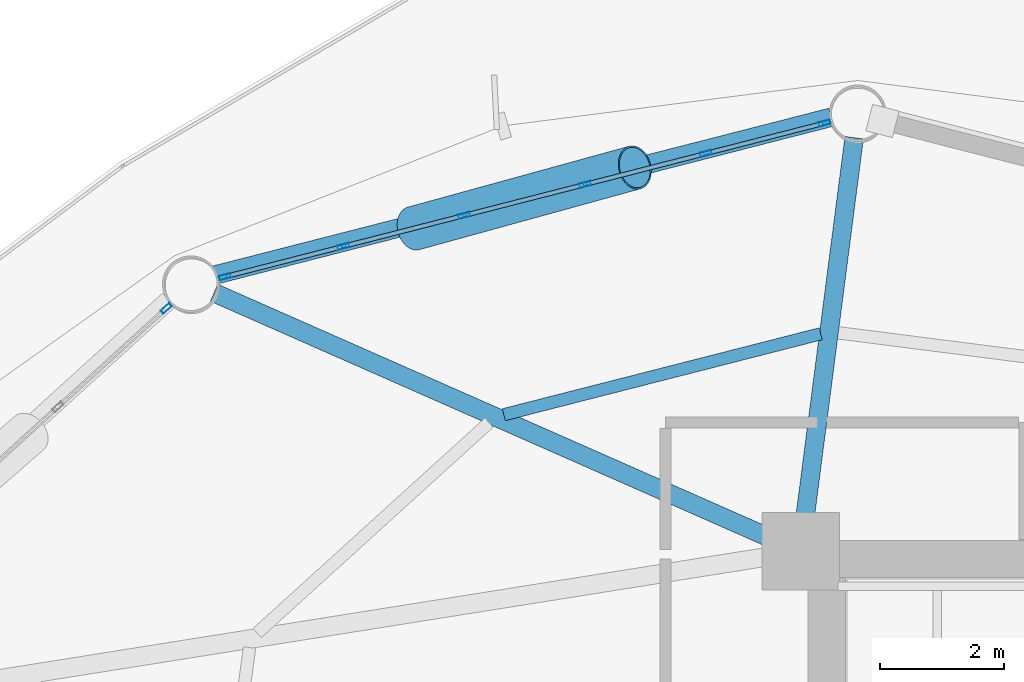
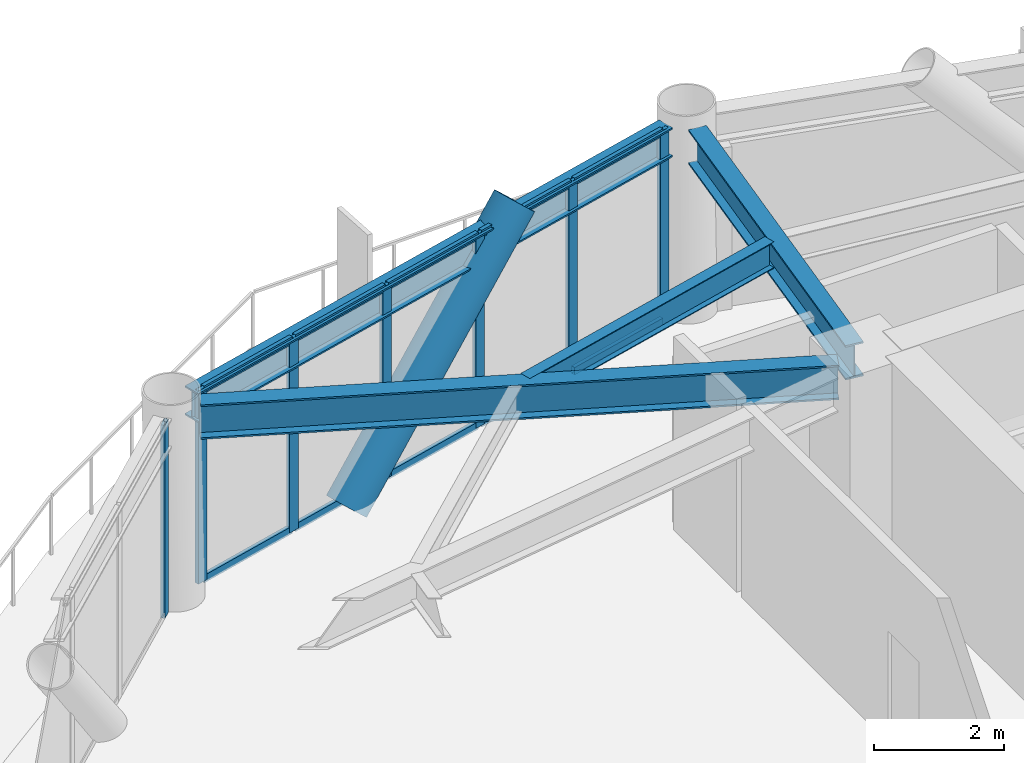
# One storey, part 15 of 22: 18 members, 4 beams, 2 elements without a shape of their own.
"""IFC4 building model written with IfcOpenShell, lengths in metres."""

from ifc_helpers import new_model, si_unit, direction, frame, origin, origin_2d, place, context, subcontext, project, spatial, hollow_rectangle, hollow_circle, i_section, extrude, material, layer, layer_set, material_profile, profile_set, type_object, element, aggregate, save


model = new_model("IFC4")

# Units and contexts
model_context = context("Model", 3, precision=1e-05, world=origin(), true_north=direction((0.0, 1.0)))
body_context = subcontext(model_context, "Body", "Model", "MODEL_VIEW")
ifc_project = project(units=[si_unit("LENGTHUNIT", "METRE"), si_unit("AREAUNIT", "SQUARE_METRE"), si_unit("VOLUMEUNIT", "CUBIC_METRE"), si_unit("PLANEANGLEUNIT", "RADIAN"), si_unit("MASSUNIT", "GRAM", prefix="KILO")], contexts=[model_context])

# Site, building, storey
site_placement = place(None, origin())
site = spatial("IfcSite", under=ifc_project, at=site_placement, CompositionType="ELEMENT")
building_placement = place(site_placement, origin())
building = spatial("IfcBuilding", under=site, at=building_placement, Name="Varnakorn Sky Granary", CompositionType="ELEMENT")
storey_placement = place(building_placement, frame((0.0, 0.0, 66.60009765625)))
storey = spatial("IfcBuildingStorey", under=building, at=storey_placement, Name="L16", CompositionType="ELEMENT", Elevation=66.60009765625)

# Beams
ifc_material_1 = material(Name="Steel S355JR", Category="steel")
ifc_material_profile_1 = material_profile(ifc_material_1, i_section(OverallWidth=0.300048828125, OverallDepth=0.64990234375, WebThickness=0.01611328125, FlangeThickness=0.031005859375, at=origin_2d()), Name="HE 650 B")
ifc_profile_set_1 = profile_set([ifc_material_profile_1], Name="Steel S355JR")
beam_type_1 = type_object("IfcBeamType", Name="BM-RAD-Z1", PredefinedType="BEAM", material=ifc_profile_set_1)
beam_1_placement = place(storey_placement, frame((-2.3662109375, 13.03662109375, 3.31494140625), z_axis=(0.128374233609, 0.991725796854, 0.0), x_axis=(-0.991725796854, 0.128374233609, 0.0)))
element("IfcBeam", 1, at=beam_1_placement, inside=storey, type_object=beam_type_1, Name="Radial Floor Girder RG04 L16", PredefinedType="BEAM", context=body_context, shape_type="SweptSolid", body=[
    extrude(i_section(OverallWidth=0.300048828125, OverallDepth=0.64990234375, WebThickness=0.01611328125, FlangeThickness=0.031005859375, at=origin_2d()), origin(), (0.0, 0.0, 1.0), 6.306396484375),
])
beam_2_placement = place(storey_placement, frame((-2.80419921875, 12.78955078125, 3.31494140625), z_axis=(-0.914949361252, 0.403568663729, 0.0), x_axis=(-0.403568663729, -0.914949361252, 0.0)))
element("IfcBeam", 2, at=beam_2_placement, inside=storey, type_object=beam_type_1, Name="Radial Floor Girder RG05 L16", PredefinedType="BEAM", context=body_context, shape_type="SweptSolid", body=[
    extrude(i_section(OverallWidth=0.300048828125, OverallDepth=0.64990234375, WebThickness=0.01611328125, FlangeThickness=0.031005859375, at=origin_2d()), origin(), (0.0, 0.0, 1.0), 9.9140625),
])
ifc_material_profile_2 = material_profile(ifc_material_1, i_section(OverallWidth=0.199951171875, OverallDepth=0.5, WebThickness=0.01025390625, FlangeThickness=0.01611328125, at=origin_2d()), Name="IPE 500")
ifc_profile_set_2 = profile_set([ifc_material_profile_2], Name="Steel S355JR")
beam_type_2 = type_object("IfcBeamType", Name="BM-SEC-Z1", PredefinedType="BEAM", material=ifc_profile_set_2)
beam_3_placement = place(storey_placement, frame((-2.096923828125, 16.12890625, 3.389892578125), z_axis=(-0.968906843976, -0.247425802406, 0.0), x_axis=(0.247425802406, -0.968906843976, 0.0)))
element("IfcBeam", 3, at=beam_3_placement, inside=storey, type_object=beam_type_2, Name="Secondary Floor Chord Beam MSB04 L16", PredefinedType="BEAM", context=body_context, shape_type="SweptSolid", body=[
    extrude(i_section(OverallWidth=0.199951171875, OverallDepth=0.5, WebThickness=0.01025390625, FlangeThickness=0.01611328125, at=origin_2d()), origin(), (0.0, 0.0, 1.0), 5.27099609375),
])
ifc_material_profile_3 = material_profile(ifc_material_1, i_section(OverallWidth=0.300048828125, OverallDepth=0.550048828125, WebThickness=0.014892578125, FlangeThickness=0.029052734375, at=origin_2d()), Name="HE 550 B")
ifc_profile_set_3 = profile_set([ifc_material_profile_3], Name="Steel S355JR")
beam_type_3 = type_object("IfcBeamType", Name="BM-SPD-Z1", PredefinedType="SPANDREL", material=ifc_profile_set_3)
beam_4_placement = place(storey_placement, frame((-1.92822265625, 19.619384765625, 3.364990234375), z_axis=(-0.968748648777, -0.248044462734, 0.0), x_axis=(0.248044462734, -0.968748648777, 0.0)))
element("IfcBeam", 4, at=beam_4_placement, inside=storey, type_object=beam_type_3, Name="Perimeter Spandrel Ring Beam RB04 L16", PredefinedType="SPANDREL", context=body_context, shape_type="SweptSolid", body=[
    extrude(i_section(OverallWidth=0.300048828125, OverallDepth=0.550048828125, WebThickness=0.014892578125, FlangeThickness=0.029052734375, at=origin_2d()), origin(), (0.0, 0.0, 1.0), 10.2431640625),
])

# Curtain wall, members
ifc_material_2 = material(Name="Anodised Bronze Aluminium Alloy 6063-T6", Category="aluminium")
ifc_layer = layer(ifc_material_2, 0.18994140625, Name="Anodised Bronze Aluminium Alloy 6063-T6")
ifc_layer_set = layer_set([ifc_layer], Name="Anodised Bronze Aluminium Alloy 6063-T6")
curtain_wall_type = type_object("IfcCurtainWallType", Name="CW-FRM-1", PredefinedType="USERDEFINED", material=ifc_layer_set)
curtain_wall_1_placement = place(storey_placement, origin())
curtain_wall_1 = element("IfcCurtainWall", 5, at=curtain_wall_1_placement, inside=storey, type_object=curtain_wall_type, Name="Unitised Curtain Wall CW3 CW-L16-B04", ObjectType="CURTAIN WALL", PredefinedType="USERDEFINED")
ifc_material_profile_4 = material_profile(ifc_material_2, hollow_rectangle(XDim=0.070068359375, YDim=0.18505859375, WallThickness=0.00390625, at=origin_2d()), Name="ALU MULL 70x185")
ifc_profile_set_4 = profile_set([ifc_material_profile_4], Name="Anodised Bronze Aluminium Alloy 6063-T6")
member_type_1 = type_object("IfcMemberType", Name="CW-FRM-1-MULL", PredefinedType="MULLION", material=ifc_profile_set_4)
member_1_placement = place(storey_placement, frame((-11.702392578125, 17.0478515625, 0.0), z_axis=(0.0, 0.0, 1.0), x_axis=(-0.248211359379, 0.968705900196, 0.0)))
member_1 = element("IfcMember", 6, at=member_1_placement, type_object=member_type_1, Name="CW3 mullion 1", PredefinedType="MULLION", context=body_context, shape_type="SweptSolid", body=[
    extrude(hollow_rectangle(XDim=0.070068359375, YDim=0.18505859375, WallThickness=0.00390625, at=origin_2d()), origin(), (0.0, 0.0, 1.0), 3.639892578125),
])
member_2_placement = place(storey_placement, frame((-9.7890625, 17.5380859375, 0.0), z_axis=(0.0, 0.0, 1.0), x_axis=(-0.248211359379, 0.968705900196, 0.0)))
member_2 = element("IfcMember", 7, at=member_2_placement, type_object=member_type_1, Name="CW3 mullion 2", PredefinedType="MULLION", context=body_context, shape_type="SweptSolid", body=[
    extrude(hollow_rectangle(XDim=0.070068359375, YDim=0.18505859375, WallThickness=0.00390625, at=origin_2d()), origin(), (0.0, 0.0, 1.0), 3.639892578125),
])
member_3_placement = place(storey_placement, frame((-7.842041015625, 18.037109375, 0.0), z_axis=(0.0, 0.0, 1.0), x_axis=(-0.248211359379, 0.968705900196, 0.0)))
member_3 = element("IfcMember", 8, at=member_3_placement, type_object=member_type_1, Name="CW3 mullion 3", PredefinedType="MULLION", context=body_context, shape_type="SweptSolid", body=[
    extrude(hollow_rectangle(XDim=0.070068359375, YDim=0.18505859375, WallThickness=0.00390625, at=origin_2d()), origin(), (0.0, 0.0, 1.0), 3.639892578125),
])
member_4_placement = place(storey_placement, frame((-5.89501953125, 18.535888671875, 0.0), z_axis=(0.0, 0.0, 1.0), x_axis=(-0.248211359379, 0.968705900196, 0.0)))
member_4 = element("IfcMember", 9, at=member_4_placement, type_object=member_type_1, Name="CW3 mullion 4", PredefinedType="MULLION", context=body_context, shape_type="SweptSolid", body=[
    extrude(hollow_rectangle(XDim=0.070068359375, YDim=0.18505859375, WallThickness=0.00390625, at=origin_2d()), origin(), (0.0, 0.0, 1.0), 3.639892578125),
])
member_5_placement = place(storey_placement, frame((-3.947998046875, 19.034912109375, 0.0), z_axis=(0.0, 0.0, 1.0), x_axis=(-0.248211359379, 0.968705900196, 0.0)))
member_5 = element("IfcMember", 10, at=member_5_placement, type_object=member_type_1, Name="CW3 mullion 5", PredefinedType="MULLION", context=body_context, shape_type="SweptSolid", body=[
    extrude(hollow_rectangle(XDim=0.070068359375, YDim=0.18505859375, WallThickness=0.00390625, at=origin_2d()), origin(), (0.0, 0.0, 1.0), 3.639892578125),
])
member_6_placement = place(storey_placement, frame((-2.03466796875, 19.52490234375, 0.0), z_axis=(0.0, 0.0, 1.0), x_axis=(-0.248211359379, 0.968705900196, 0.0)))
member_6 = element("IfcMember", 11, at=member_6_placement, type_object=member_type_1, Name="CW3 mullion 6", PredefinedType="MULLION", context=body_context, shape_type="SweptSolid", body=[
    extrude(hollow_rectangle(XDim=0.070068359375, YDim=0.18505859375, WallThickness=0.00390625, at=origin_2d()), origin(), (0.0, 0.0, 1.0), 3.639892578125),
])

# Curtain wall, member
curtain_wall_2_placement = place(storey_placement, origin())
curtain_wall_2 = element("IfcCurtainWall", 12, at=curtain_wall_2_placement, inside=storey, type_object=curtain_wall_type, Name="Unitised Curtain Wall CW3 CW-L16-B05", ObjectType="CURTAIN WALL", PredefinedType="USERDEFINED")
member_7_placement = place(storey_placement, frame((-12.6455078125, 16.53955078125, 0.0), z_axis=(0.0, 0.0, 1.0), x_axis=(-0.672775554803, 0.739846641446, 0.0)))
member_7 = element("IfcMember", 13, at=member_7_placement, type_object=member_type_1, Name="CW3 mullion 5", PredefinedType="MULLION", context=body_context, shape_type="SweptSolid", body=[
    extrude(hollow_rectangle(XDim=0.070068359375, YDim=0.18505859375, WallThickness=0.00390625, at=origin_2d()), origin(), (0.0, 0.0, 1.0), 3.639892578125),
])
aggregate(curtain_wall_2, [member_7])

# Member
ifc_material_profile_5 = material_profile(ifc_material_2, hollow_rectangle(XDim=0.070068359375, YDim=0.139892578125, WallThickness=0.00341796875, at=origin_2d()), Name="ALU TRAN 70x140")
ifc_profile_set_5 = profile_set([ifc_material_profile_5], Name="Anodised Bronze Aluminium Alloy 6063-T6")
member_type_2 = type_object("IfcMemberType", Name="CW-FRM-1-TRAN", PredefinedType="USERDEFINED", material=ifc_profile_set_5)
member_8_placement = place(storey_placement, frame((-11.66845703125, 17.056640625, 0.034912109375), z_axis=(0.968731821255, 0.248110174091, 0.0), x_axis=(-0.248110174091, 0.968731821255, 0.0)))
member_8 = element("IfcMember", 14, at=member_8_placement, type_object=member_type_2, Name="CW3 transom 1.1", ObjectType="TRANSOM", PredefinedType="USERDEFINED", context=body_context, shape_type="SweptSolid", body=[
    extrude(hollow_rectangle(XDim=0.070068359375, YDim=0.139892578125, WallThickness=0.00341796875, at=origin_2d()), origin(), (0.0, 0.0, 1.0), 1.905029296875),
])

member_9_placement = place(storey_placement, frame((-11.66845703125, 17.056640625, 3.60498046875), z_axis=(0.968731821255, 0.248110174091, 0.0), x_axis=(-0.248110174091, 0.968731821255, 0.0)))
member_9 = element("IfcMember", 15, at=member_9_placement, type_object=member_type_2, Name="CW3 transom 1.2", ObjectType="TRANSOM", PredefinedType="USERDEFINED", context=body_context, shape_type="SweptSolid", body=[
    extrude(hollow_rectangle(XDim=0.070068359375, YDim=0.139892578125, WallThickness=0.00341796875, at=origin_2d()), origin(), (0.0, 0.0, 1.0), 1.905029296875),
])

member_10_placement = place(storey_placement, frame((-9.755126953125, 17.546875, 0.034912109375), z_axis=(0.968711985166, 0.248187610075, 0.0), x_axis=(-0.248187610075, 0.968711985166, 0.0)))
member_10 = element("IfcMember", 16, at=member_10_placement, type_object=member_type_2, Name="CW3 transom 2.1", ObjectType="TRANSOM", PredefinedType="USERDEFINED", context=body_context, shape_type="SweptSolid", body=[
    extrude(hollow_rectangle(XDim=0.070068359375, YDim=0.139892578125, WallThickness=0.00341796875, at=origin_2d()), origin(), (0.0, 0.0, 1.0), 1.93994140625),
])

member_11_placement = place(storey_placement, frame((-9.755126953125, 17.546875, 3.60498046875), z_axis=(0.968711985166, 0.248187610075, 0.0), x_axis=(-0.248187610075, 0.968711985166, 0.0)))
member_11 = element("IfcMember", 17, at=member_11_placement, type_object=member_type_2, Name="CW3 transom 2.2", ObjectType="TRANSOM", PredefinedType="USERDEFINED", context=body_context, shape_type="SweptSolid", body=[
    extrude(hollow_rectangle(XDim=0.070068359375, YDim=0.139892578125, WallThickness=0.00341796875, at=origin_2d()), origin(), (0.0, 0.0, 1.0), 1.93994140625),
])

member_12_placement = place(storey_placement, frame((-7.80810546875, 18.045654296875, 0.034912109375), z_axis=(0.968711985166, 0.248187610075, 0.0), x_axis=(-0.248187610075, 0.968711985166, 0.0)))
member_12 = element("IfcMember", 18, at=member_12_placement, type_object=member_type_2, Name="CW3 transom 3.1", ObjectType="TRANSOM", PredefinedType="USERDEFINED", context=body_context, shape_type="SweptSolid", body=[
    extrude(hollow_rectangle(XDim=0.070068359375, YDim=0.139892578125, WallThickness=0.00341796875, at=origin_2d()), origin(), (0.0, 0.0, 1.0), 1.93994140625),
])

member_13_placement = place(storey_placement, frame((-7.80810546875, 18.045654296875, 3.60498046875), z_axis=(0.968711985166, 0.248187610075, 0.0), x_axis=(-0.248187610075, 0.968711985166, 0.0)))
member_13 = element("IfcMember", 19, at=member_13_placement, type_object=member_type_2, Name="CW3 transom 3.2", ObjectType="TRANSOM", PredefinedType="USERDEFINED", context=body_context, shape_type="SweptSolid", body=[
    extrude(hollow_rectangle(XDim=0.070068359375, YDim=0.139892578125, WallThickness=0.00341796875, at=origin_2d()), origin(), (0.0, 0.0, 1.0), 1.93994140625),
])

member_14_placement = place(storey_placement, frame((-5.861083984375, 18.544677734375, 0.034912109375), z_axis=(0.968719736099, 0.248157355104, 0.0), x_axis=(-0.248157355104, 0.968719736099, 0.0)))
member_14 = element("IfcMember", 20, at=member_14_placement, type_object=member_type_2, Name="CW3 transom 4.1", ObjectType="TRANSOM", PredefinedType="USERDEFINED", context=body_context, shape_type="SweptSolid", body=[
    extrude(hollow_rectangle(XDim=0.070068359375, YDim=0.139892578125, WallThickness=0.00341796875, at=origin_2d()), origin(), (0.0, 0.0, 1.0), 1.940185546875),
])

member_15_placement = place(storey_placement, frame((-5.861083984375, 18.544677734375, 3.60498046875), z_axis=(0.968719736099, 0.248157355104, 0.0), x_axis=(-0.248157355104, 0.968719736099, 0.0)))
member_15 = element("IfcMember", 21, at=member_15_placement, type_object=member_type_2, Name="CW3 transom 4.2", ObjectType="TRANSOM", PredefinedType="USERDEFINED", context=body_context, shape_type="SweptSolid", body=[
    extrude(hollow_rectangle(XDim=0.070068359375, YDim=0.139892578125, WallThickness=0.00341796875, at=origin_2d()), origin(), (0.0, 0.0, 1.0), 1.940185546875),
])

member_16_placement = place(storey_placement, frame((-3.9140625, 19.04345703125, 0.034912109375), z_axis=(0.968701012171, 0.248230435319, 0.0), x_axis=(-0.248230435319, 0.968701012171, 0.0)))
member_16 = element("IfcMember", 22, at=member_16_placement, type_object=member_type_2, Name="CW3 transom 5.1", ObjectType="TRANSOM", PredefinedType="USERDEFINED", context=body_context, shape_type="SweptSolid", body=[
    extrude(hollow_rectangle(XDim=0.070068359375, YDim=0.139892578125, WallThickness=0.00341796875, at=origin_2d()), origin(), (0.0, 0.0, 1.0), 1.905029296875),
])

member_17_placement = place(storey_placement, frame((-3.9140625, 19.04345703125, 3.60498046875), z_axis=(0.968701012171, 0.248230435319, 0.0), x_axis=(-0.248230435319, 0.968701012171, 0.0)))
member_17 = element("IfcMember", 23, at=member_17_placement, type_object=member_type_2, Name="CW3 transom 5.2", ObjectType="TRANSOM", PredefinedType="USERDEFINED", context=body_context, shape_type="SweptSolid", body=[
    extrude(hollow_rectangle(XDim=0.070068359375, YDim=0.139892578125, WallThickness=0.00341796875, at=origin_2d()), origin(), (0.0, 0.0, 1.0), 1.905029296875),
])

aggregate(curtain_wall_1, [member_1, member_2, member_3, member_4, member_5, member_6, member_8, member_9, member_10, member_11, member_12, member_13, member_14, member_15, member_16, member_17])

ifc_material_3 = material(Name="Steel S460M", Category="steel")
ifc_material_profile_6 = material_profile(ifc_material_3, hollow_circle(Radius=0.35546875, WallThickness=0.02490234375, at=origin_2d()), Name="CHS 711x25")
ifc_profile_set_6 = profile_set([ifc_material_profile_6], Name="Steel S460M")
member_type_3 = type_object("IfcMemberType", Name="MB-DIAG-T0", PredefinedType="BRACE", material=ifc_profile_set_6)
member_18_placement = place(storey_placement, frame((-8.657958984375, 17.827880859375, -0.130126953125), z_axis=(0.661541626909, 0.182092719577, 0.727464718968), x_axis=(-0.265385153364, 0.964142479291, 0.0)))
element("IfcMember", 24, at=member_18_placement, inside=storey, type_object=member_type_3, Name="Perimeter CHS Diagrid Brace DG04 L16", PredefinedType="BRACE", context=body_context, shape_type="SweptSolid", body=[
    extrude(hollow_circle(Radius=0.35546875, WallThickness=0.02490234375, at=origin_2d()), origin(), (0.0, 0.0, 1.0), 5.388427734375),
])

save(model, "model.ifc")
